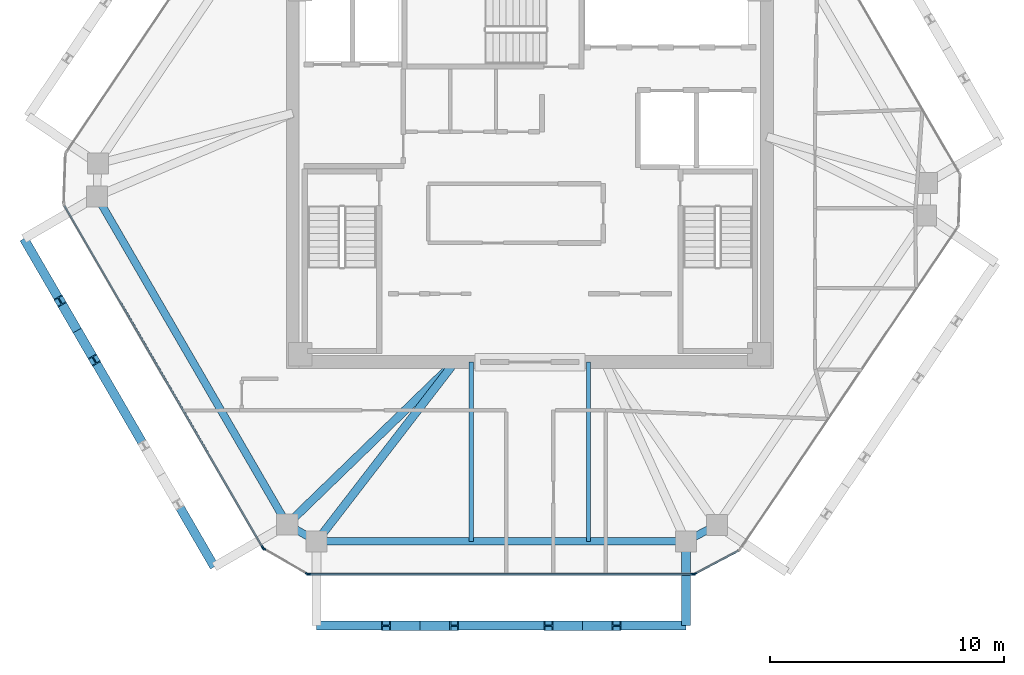
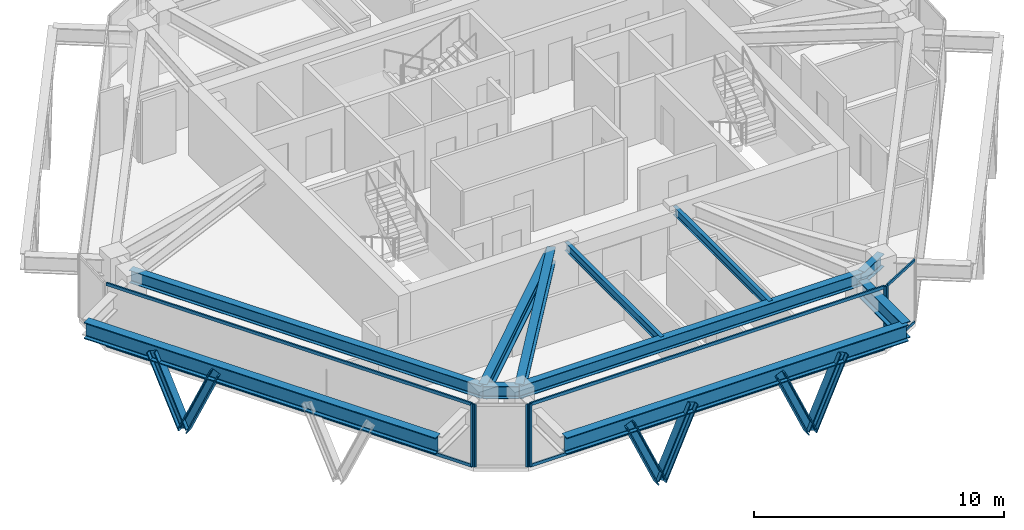
# One storey, part 2 of 11: 18 members, 11 beams, 4 elements without a shape of their own.
"""IFC4 building model written with IfcOpenShell, lengths in metres."""

from ifc_helpers import new_model, si_unit, direction, frame, origin, origin_2d, place, context, subcontext, project, spatial, rectangle, i_section, extrude, source, transform, mapped, material, layer, layer_set, material_profile, profile_set, type_object, type_shapes, element, aggregate, save


model = new_model("IFC4")

# Units and contexts
model_context = context("Model", 3, precision=1e-05, world=origin(), true_north=direction((0.0, 1.0)))
body_context = subcontext(model_context, "Body", "Model", "MODEL_VIEW")
ifc_project = project(units=[si_unit("LENGTHUNIT", "METRE"), si_unit("AREAUNIT", "SQUARE_METRE"), si_unit("VOLUMEUNIT", "CUBIC_METRE"), si_unit("PLANEANGLEUNIT", "RADIAN"), si_unit("MASSUNIT", "GRAM", prefix="KILO")], contexts=[model_context])

# Site, building, storey
site_placement = place(None, origin())
site = spatial("IfcSite", under=ifc_project, at=site_placement, CompositionType="ELEMENT")
building_placement = place(site_placement, origin())
building = spatial("IfcBuilding", under=site, at=building_placement, Name="Durnholm Broadcast Tower", CompositionType="ELEMENT")
storey_placement = place(building_placement, frame((0.0, 0.0, 218.300048828125)))
storey = spatial("IfcBuildingStorey", under=building, at=storey_placement, Name="L60", CompositionType="ELEMENT", Elevation=218.300048828125)

# Beams
ifc_material_1 = material(Name="Steel ASTM A992 Grade 50", Category="steel")
ifc_material_profile_1 = material_profile(ifc_material_1, i_section(OverallWidth=0.385009765625, OverallDepth=0.802978515625, WebThickness=0.023681640625, FlangeThickness=0.0419921875, FilletRadius=0.032958984375, at=origin_2d()), Name="W30X261")
ifc_profile_set_1 = profile_set([ifc_material_profile_1], Name="Steel ASTM A992 Grade 50")
beam_type_1 = type_object("IfcBeamType", Name="BM-EXO-TIE", PredefinedType="USERDEFINED", material=ifc_profile_set_1)
shared_shape_1 = source(origin(), body_context, "Body", "SweptSolid", [
    extrude(i_section(OverallWidth=0.385009765625, OverallDepth=0.802978515625, WebThickness=0.023681640625, FlangeThickness=0.0419921875, FilletRadius=0.032958984375, at=origin_2d()), origin(), (0.0, 0.0, 1.0), 3.4560546875),
])
beam_1_placement = place(storey_placement, frame((6.663818359375, -15.929931640625, 2.30859375), z_axis=(0.0, -1.0, 0.0), x_axis=(1.0, 0.0, 0.0)))
element("IfcBeam", 1, at=beam_1_placement, inside=storey, type_object=beam_type_1, Name="L60 exoskeleton stand-off tie bracket F1.2", ObjectType="GIRDER", PredefinedType="USERDEFINED", context=body_context, shape_type="MappedRepresentation", body=[
    mapped(shared_shape_1, transform((0.0, 0.0, 0.0), x_axis=(1.0, 0.0, 0.0), y_axis=(0.0, 1.0, 0.0), z_axis=(0.0, 0.0, 1.0), scale=1.0)),
])
ifc_material_profile_2 = material_profile(ifc_material_1, i_section(OverallWidth=0.3251953125, OverallDepth=0.6162109375, WebThickness=0.013916015625, FlangeThickness=0.021484375, FilletRadius=0.02783203125, at=origin_2d()), Name="W24X117")
ifc_profile_set_2 = profile_set([ifc_material_profile_2], Name="Steel ASTM A992 Grade 50")
beam_type_2 = type_object("IfcBeamType", Name="STL-SP-W24X117", PredefinedType="SPANDREL", material=ifc_profile_set_2)
shared_shape_2 = source(origin(), body_context, "Body", "SweptSolid", [
    extrude(i_section(OverallWidth=0.3251953125, OverallDepth=0.6162109375, WebThickness=0.013916015625, FlangeThickness=0.021484375, FilletRadius=0.02783203125, at=origin_2d()), origin(), (0.0, 0.0, 1.0), 16.202880859375),
])
beam_2_placement = place(storey_placement, frame((-10.361328125, -15.061767578125, 2.73681640625), z_axis=(-0.501948303381, 0.864897624423, 0.0), x_axis=(-0.864897624423, -0.501948303381, 0.0)))
element("IfcBeam", 2, at=beam_2_placement, inside=storey, type_object=beam_type_2, Name="L60 perimeter spandrel girder 01", PredefinedType="SPANDREL", context=body_context, shape_type="MappedRepresentation", body=[
    mapped(shared_shape_2, transform((0.0, 0.0, 0.0), x_axis=(1.0, 0.0, 0.0), y_axis=(0.0, 1.0, 0.0), z_axis=(0.0, 0.0, 1.0), scale=1.0)),
])
shared_shape_3 = source(origin(), body_context, "Body", "SweptSolid", [
    extrude(i_section(OverallWidth=0.3251953125, OverallDepth=0.6162109375, WebThickness=0.013916015625, FlangeThickness=0.021484375, FilletRadius=0.02783203125, at=origin_2d()), origin(), (0.0, 0.0, 1.0), 1.502685546875),
])
beam_3_placement = place(storey_placement, frame((7.990966796875, -15.081298828125, 2.73681640625), z_axis=(-0.883241909673, -0.468917614296, 0.0), x_axis=(0.468917614296, -0.883241909673, 0.0)))
element("IfcBeam", 3, at=beam_3_placement, inside=storey, type_object=beam_type_2, Name="L60 perimeter spandrel girder 10", PredefinedType="SPANDREL", context=body_context, shape_type="MappedRepresentation", body=[
    mapped(shared_shape_3, transform((0.0, 0.0, 0.0), x_axis=(1.0, 0.0, 0.0), y_axis=(0.0, 1.0, 0.0), z_axis=(0.0, 0.0, 1.0), scale=1.0)),
])
shared_shape_4 = source(origin(), body_context, "Body", "SweptSolid", [
    extrude(i_section(OverallWidth=0.3251953125, OverallDepth=0.6162109375, WebThickness=0.013916015625, FlangeThickness=0.021484375, FilletRadius=0.02783203125, at=origin_2d()), origin(), (0.0, 0.0, 1.0), 15.767578125),
])
beam_4_placement = place(storey_placement, frame((6.663818359375, -15.785888671875, 2.73681640625), z_axis=(-1.0, 0.0, 0.0), x_axis=(0.0, -1.0, 0.0)))
element("IfcBeam", 4, at=beam_4_placement, inside=storey, type_object=beam_type_2, Name="L60 perimeter spandrel girder 11", PredefinedType="SPANDREL", context=body_context, shape_type="MappedRepresentation", body=[
    mapped(shared_shape_4, transform((0.0, 0.0, 0.0), x_axis=(1.0, 0.0, 0.0), y_axis=(0.0, 1.0, 0.0), z_axis=(0.0, 0.0, 1.0), scale=1.0)),
])
shared_shape_5 = source(origin(), body_context, "Body", "SweptSolid", [
    extrude(i_section(OverallWidth=0.3251953125, OverallDepth=0.6162109375, WebThickness=0.013916015625, FlangeThickness=0.021484375, FilletRadius=0.02783203125, at=origin_2d()), origin(), (0.0, 0.0, 1.0), 1.451171875),
])
type_shapes(beam_type_2, [shared_shape_2, shared_shape_3, shared_shape_4, shared_shape_5])
beam_5_placement = place(storey_placement, frame((-9.103759765625, -15.785888671875, 2.73681640625), z_axis=(-0.866602615509, 0.498998904601, 0.0), x_axis=(-0.498998904601, -0.866602615509, 0.0)))
element("IfcBeam", 5, at=beam_5_placement, inside=storey, type_object=beam_type_2, Name="L60 perimeter spandrel girder 12", PredefinedType="SPANDREL", context=body_context, shape_type="MappedRepresentation", body=[
    mapped(shared_shape_5, transform((0.0, 0.0, 0.0), x_axis=(1.0, 0.0, 0.0), y_axis=(0.0, 1.0, 0.0), z_axis=(0.0, 0.0, 1.0), scale=1.0)),
])
shared_shape_6 = source(origin(), body_context, "Body", "SweptSolid", [
    extrude(i_section(OverallWidth=0.385009765625, OverallDepth=0.802978515625, WebThickness=0.023681640625, FlangeThickness=0.0419921875, FilletRadius=0.032958984375, at=origin_2d()), origin(), (0.0, 0.0, 1.0), 15.767578125),
])
beam_6_placement = place(storey_placement, frame((-9.103759765625, -19.385986328125, 2.30859375), z_axis=(1.0, 0.0, 0.0), x_axis=(0.0, 1.0, 0.0)))
element("IfcBeam", 6, at=beam_6_placement, inside=storey, type_object=beam_type_1, Name="L60 exoskeleton collector spandrel F1", PredefinedType="SPANDREL", context=body_context, shape_type="MappedRepresentation", body=[
    mapped(shared_shape_6, transform((0.0, 0.0, 0.0), x_axis=(1.0, 0.0, 0.0), y_axis=(0.0, 1.0, 0.0), z_axis=(0.0, 0.0, 1.0), scale=1.0)),
])
shared_shape_7 = source(origin(), body_context, "Body", "SweptSolid", [
    extrude(i_section(OverallWidth=0.385009765625, OverallDepth=0.802978515625, WebThickness=0.023681640625, FlangeThickness=0.0419921875, FilletRadius=0.032958984375, at=origin_2d()), origin(), (0.0, 0.0, 1.0), 16.20263671875),
])
type_shapes(beam_type_1, [shared_shape_1, shared_shape_6, shared_shape_7])
beam_7_placement = place(storey_placement, frame((-21.60791015625, -2.85498046875, 2.30859375), z_axis=(0.501943573333, -0.864900369516, 0.0), x_axis=(0.864900369516, 0.501943573333, 0.0)))
element("IfcBeam", 7, at=beam_7_placement, inside=storey, type_object=beam_type_1, Name="L60 exoskeleton collector spandrel F6", PredefinedType="SPANDREL", context=body_context, shape_type="MappedRepresentation", body=[
    mapped(shared_shape_7, transform((0.0, 0.0, 0.0), x_axis=(1.0, 0.0, 0.0), y_axis=(0.0, 1.0, 0.0), z_axis=(0.0, 0.0, 1.0), scale=1.0)),
])
ifc_material_profile_3 = material_profile(ifc_material_1, i_section(OverallWidth=0.3564453125, OverallDepth=0.713623046875, WebThickness=0.01904296875, FlangeThickness=0.033935546875, FilletRadius=0.030517578125, at=origin_2d()), Name="W27X194")
ifc_profile_set_3 = profile_set([ifc_material_profile_3], Name="Steel ASTM A992 Grade 50")
beam_type_3 = type_object("IfcBeamType", Name="STL-GR-W27X194", PredefinedType="USERDEFINED", material=ifc_profile_set_3)
shared_shape_8 = source(origin(), body_context, "Body", "SweptSolid", [
    extrude(i_section(OverallWidth=0.3564453125, OverallDepth=0.713623046875, WebThickness=0.01904296875, FlangeThickness=0.033935546875, FilletRadius=0.030517578125, at=origin_2d()), origin(), (0.0, 0.0, 1.0), 9.97021484375),
])
beam_8_placement = place(storey_placement, frame((-3.199951171875, -8.125, 2.688232421875), z_axis=(-0.718281140352, -0.695752975857, 0.0), x_axis=(0.695752975857, -0.718281140352, 0.0)))
element("IfcBeam", 8, at=beam_8_placement, inside=storey, type_object=beam_type_3, Name="L60 radial primary floor girder 01", ObjectType="GIRDER", PredefinedType="USERDEFINED", context=body_context, shape_type="MappedRepresentation", body=[
    mapped(shared_shape_8, transform((0.0, 0.0, 0.0), x_axis=(1.0, 0.0, 0.0), y_axis=(0.0, 1.0, 0.0), z_axis=(0.0, 0.0, 1.0), scale=1.0)),
])
shared_shape_9 = source(origin(), body_context, "Body", "SweptSolid", [
    extrude(i_section(OverallWidth=0.3564453125, OverallDepth=0.713623046875, WebThickness=0.01904296875, FlangeThickness=0.033935546875, FilletRadius=0.030517578125, at=origin_2d()), origin(), (0.0, 0.0, 1.0), 9.671875),
])
type_shapes(beam_type_3, [shared_shape_8, shared_shape_9])
beam_9_placement = place(storey_placement, frame((-3.199951171875, -8.125, 2.688232421875), z_axis=(-0.610413181287, -0.792083169945, 0.0), x_axis=(0.792083169945, -0.610413181287, 0.0)))
element("IfcBeam", 9, at=beam_9_placement, inside=storey, type_object=beam_type_3, Name="L60 radial primary floor girder 12", ObjectType="GIRDER", PredefinedType="USERDEFINED", context=body_context, shape_type="MappedRepresentation", body=[
    mapped(shared_shape_9, transform((0.0, 0.0, 0.0), x_axis=(1.0, 0.0, 0.0), y_axis=(0.0, 1.0, 0.0), z_axis=(0.0, 0.0, 1.0), scale=1.0)),
])
ifc_material_profile_4 = material_profile(ifc_material_1, i_section(OverallWidth=0.177734375, OverallDepth=0.40673828125, WebThickness=0.0078125, FlangeThickness=0.0126953125, FilletRadius=0.01904296875, at=origin_2d()), Name="W16X40")
ifc_profile_set_4 = profile_set([ifc_material_profile_4], Name="Steel ASTM A992 Grade 50")
beam_type_4 = type_object("IfcBeamType", Name="STL-BJ-W16X40", PredefinedType="JOIST", material=ifc_profile_set_4)
shared_shape_10 = source(origin(), body_context, "Body", "SweptSolid", [
    extrude(i_section(OverallWidth=0.177734375, OverallDepth=0.40673828125, WebThickness=0.0078125, FlangeThickness=0.0126953125, FilletRadius=0.01904296875, at=origin_2d()), origin(), (0.0, 0.0, 1.0), 7.660888671875),
])
type_shapes(beam_type_4, [shared_shape_10])
for number, where, z_axis, x_axis, name in (
    (10, (-2.5, -15.785888671875, 2.841552734375), (0.0, 1.0, 0.0), (-1.0, 0.0, 0.0), "L60 secondary floor joist 5.1"),
    (11, (2.5, -15.785888671875, 2.841552734375), (0.0, 1.0, 0.0), (-1.0, 0.0, 0.0), "L60 secondary floor joist 6.1"),
):
    element("IfcBeam", number, at=place(storey_placement, frame(where, z_axis=z_axis, x_axis=x_axis)), inside=storey, type_object=beam_type_4, Name=name, PredefinedType="JOIST", context=body_context, shape_type="MappedRepresentation", body=[
        mapped(shared_shape_10, transform((0.0, 0.0, 0.0), x_axis=(1.0, 0.0, 0.0), y_axis=(0.0, 1.0, 0.0), z_axis=(0.0, 0.0, 1.0), scale=1.0)),
    ])

# Members
ifc_material_2 = material(Name="Steel ASTM A913 Grade 65", Category="steel")
ifc_material_profile_5 = material_profile(ifc_material_2, i_section(OverallWidth=0.40625, OverallDepth=0.416015625, WebThickness=0.02978515625, FlangeThickness=0.048095703125, FilletRadius=0.030517578125, at=origin_2d()), Name="W14X257")
ifc_profile_set_5 = profile_set([ifc_material_profile_5], Name="Steel ASTM A913 Grade 65")
member_type_1 = type_object("IfcMemberType", Name="STL-DG-W14X257", PredefinedType="BRACE", material=ifc_profile_set_5)
shared_shape_11 = source(origin(), body_context, "Body", "SweptSolid", [
    extrude(i_section(OverallWidth=0.40625, OverallDepth=0.416015625, WebThickness=0.02978515625, FlangeThickness=0.048095703125, FilletRadius=0.030517578125, at=origin_2d()), origin(), (0.0, 0.0, 1.0), 3.60791015625),
])
for number, where, z_axis, x_axis, name in (
    (12, (-4.688720703125, -19.385986328125, -0.991455078125), (-0.404184914295, 0.0, 0.914677295584), (0.0, -1.0, 0.0), "L60 stand-off diagrid brace F1.D1.1"),
    (13, (2.248779296875, -19.385986328125, -0.991455078125), (-0.404184914295, 0.0, 0.914677295584), (0.0, -1.0, 0.0), "L60 stand-off diagrid brace F1.D2.1"),
    (14, (2.248779296875, -19.385986328125, -0.991455078125), (0.404184914295, 0.0, 0.914677295584), (0.0, 1.0, 0.0), "L60 stand-off diagrid brace F1.D2.2"),
    (15, (-19.330810546875, -6.77880859375, -0.991455078125), (-0.202806304578, 0.349582038522, 0.914692298626), (-0.864978863669, -0.501808295473, 0.0), "L60 stand-off diagrid brace F6.D1.1"),
    (16, (-19.330810546875, -6.77880859375, -0.991455078125), (0.202936072208, -0.349572440488, 0.914667185072), (0.864833498681, 0.50205878098, 0.0), "L60 stand-off diagrid brace F6.D1.2"),
):
    element("IfcMember", number, at=place(storey_placement, frame(where, z_axis=z_axis, x_axis=x_axis)), inside=storey, type_object=member_type_1, Name=name, PredefinedType="BRACE", context=body_context, shape_type="MappedRepresentation", body=[
        mapped(shared_shape_11, transform((0.0, 0.0, 0.0), x_axis=(1.0, 0.0, 0.0), y_axis=(0.0, 1.0, 0.0), z_axis=(0.0, 0.0, 1.0), scale=1.0)),
    ])
shared_shape_12 = source(origin(), body_context, "Body", "SweptSolid", [
    extrude(i_section(OverallWidth=0.40625, OverallDepth=0.416015625, WebThickness=0.02978515625, FlangeThickness=0.048095703125, FilletRadius=0.030517578125, at=origin_2d()), origin(), (0.0, 0.0, 1.0), 3.607666015625),
])
type_shapes(member_type_1, [shared_shape_11, shared_shape_12])
member_1_placement = place(storey_placement, frame((-4.688720703125, -19.385986328125, -0.991455078125), z_axis=(0.404128298032, 0.0, 0.914702311536), x_axis=(0.0, 1.0, 0.0)))
element("IfcMember", 17, at=member_1_placement, inside=storey, type_object=member_type_1, Name="L60 stand-off diagrid brace F1.D1.2", PredefinedType="BRACE", context=body_context, shape_type="MappedRepresentation", body=[
    mapped(shared_shape_12, transform((0.0, 0.0, 0.0), x_axis=(1.0, 0.0, 0.0), y_axis=(0.0, 1.0, 0.0), z_axis=(0.0, 0.0, 1.0), scale=1.0)),
])

# Curtain wall, members
ifc_material_3 = material(Name="Aluminium and Solar Control IGU", Category="aluminium")
ifc_layer_1 = layer(ifc_material_3, 0.1650390625)
ifc_layer_set_1 = layer_set([ifc_layer_1], Name="Aluminium and Solar Control IGU")
curtain_wall_type_1 = type_object("IfcCurtainWallType", Name="CW-SYS-5", PredefinedType="NOTDEFINED", material=ifc_layer_set_1)
curtain_wall_1_placement = place(storey_placement, origin())
curtain_wall_1 = element("IfcCurtainWall", 18, at=curtain_wall_1_placement, inside=storey, type_object=curtain_wall_type_1, Name="L60 curtain wall CW-CORNER CW-L60-CRN-09", PredefinedType="NOTDEFINED")
ifc_material_4 = material(Name="Aluminium 6063-T6", Category="aluminium")
ifc_material_profile_6 = material_profile(ifc_material_4, rectangle(XDim=0.06494140625, YDim=0.1298828125, at=origin_2d()), Name="CWT65X130")
ifc_profile_set_6 = profile_set([ifc_material_profile_6], Name="Aluminium 6063-T6")
member_type_2 = type_object("IfcMemberType", Name="CW-SYS-5-TRN", PredefinedType="USERDEFINED", material=ifc_profile_set_6)
shared_shape_13 = source(origin(), body_context, "Body", "SweptSolid", [
    extrude(rectangle(XDim=0.06494140625, YDim=0.1298828125, at=origin_2d()), origin(), (0.0, 0.0, 1.0), 2.070068359375),
])
type_shapes(member_type_2, [shared_shape_13])
member_2_placement = place(storey_placement, frame((8.89794921875, -16.1845703125, 0.032470703125), z_axis=(-0.883164581026, -0.469063239682, 0.0), x_axis=(0.469063239682, -0.883164581026, 0.0)))
member_2 = element("IfcMember", 19, at=member_2_placement, type_object=member_type_2, Name="CW-CORNER transom 1.1", ObjectType="TRANSOM", PredefinedType="USERDEFINED", context=body_context, shape_type="MappedRepresentation", body=[
    mapped(shared_shape_13, transform((0.0, 0.0, 0.0), x_axis=(1.0, 0.0, 0.0), y_axis=(0.0, 1.0, 0.0), z_axis=(0.0, 0.0, 1.0), scale=1.0)),
])
member_3_placement = place(storey_placement, frame((8.89794921875, -16.1845703125, 3.02734375), z_axis=(-0.883164581026, -0.469063239682, 0.0), x_axis=(0.469063239682, -0.883164581026, 0.0)))
member_3 = element("IfcMember", 20, at=member_3_placement, type_object=member_type_2, Name="CW-CORNER transom 1.2", ObjectType="TRANSOM", PredefinedType="USERDEFINED", context=body_context, shape_type="MappedRepresentation", body=[
    mapped(shared_shape_13, transform((0.0, 0.0, 0.0), x_axis=(1.0, 0.0, 0.0), y_axis=(0.0, 1.0, 0.0), z_axis=(0.0, 0.0, 1.0), scale=1.0)),
])
ifc_material_profile_7 = material_profile(ifc_material_4, rectangle(XDim=0.06494140625, YDim=0.1650390625, at=origin_2d()), Name="CWM65X165")
ifc_profile_set_7 = profile_set([ifc_material_profile_7], Name="Aluminium 6063-T6")
member_type_3 = type_object("IfcMemberType", Name="CW-SYS-5-MUL", PredefinedType="MULLION", material=ifc_profile_set_7)
shared_shape_14 = source(origin(), body_context, "Body", "SweptSolid", [
    extrude(rectangle(XDim=0.06494140625, YDim=0.1650390625, at=origin_2d()), origin(), (0.0, 0.0, 1.0), 3.06005859375),
])
type_shapes(member_type_3, [shared_shape_14])
member_4_placement = place(storey_placement, frame((7.041015625, -17.170654296875, 0.0), z_axis=(0.0, 0.0, 1.0), x_axis=(0.469006771575, -0.883194569853, 0.0)))
member_4 = element("IfcMember", 21, at=member_4_placement, type_object=member_type_3, Name="CW-CORNER mullion 2", PredefinedType="MULLION", context=body_context, shape_type="MappedRepresentation", body=[
    mapped(shared_shape_14, transform((0.0, 0.0, 0.0), x_axis=(1.0, 0.0, 0.0), y_axis=(0.0, 1.0, 0.0), z_axis=(0.0, 0.0, 1.0), scale=1.0)),
])
aggregate(curtain_wall_1, [member_4, member_2, member_3])

curtain_wall_2_placement = place(storey_placement, origin())
curtain_wall_2 = element("IfcCurtainWall", 22, at=curtain_wall_2_placement, inside=storey, type_object=curtain_wall_type_1, Name="L60 curtain wall CW-CORNER CW-L60-CRN-11", PredefinedType="NOTDEFINED")
member_5_placement = place(storey_placement, frame((-9.506103515625, -17.169677734375, 0.0), z_axis=(0.0, 0.0, 1.0), x_axis=(-0.499058582333, -0.866568249707, 0.0)))
member_5 = element("IfcMember", 23, at=member_5_placement, type_object=member_type_3, Name="CW-CORNER mullion 1", PredefinedType="MULLION", context=body_context, shape_type="MappedRepresentation", body=[
    mapped(shared_shape_14, transform((0.0, 0.0, 0.0), x_axis=(1.0, 0.0, 0.0), y_axis=(0.0, 1.0, 0.0), z_axis=(0.0, 0.0, 1.0), scale=1.0)),
])
member_6_placement = place(storey_placement, frame((-11.356201171875, -16.104248046875, 0.0), z_axis=(0.0, 0.0, 1.0), x_axis=(-0.499058582333, -0.866568249707, 0.0)))
member_6 = element("IfcMember", 24, at=member_6_placement, type_object=member_type_3, Name="CW-CORNER mullion 2", PredefinedType="MULLION", context=body_context, shape_type="MappedRepresentation", body=[
    mapped(shared_shape_14, transform((0.0, 0.0, 0.0), x_axis=(1.0, 0.0, 0.0), y_axis=(0.0, 1.0, 0.0), z_axis=(0.0, 0.0, 1.0), scale=1.0)),
])
aggregate(curtain_wall_2, [member_5, member_6])

ifc_layer_2 = layer(ifc_material_3, 0.18994140625)
ifc_layer_set_2 = layer_set([ifc_layer_2], Name="Aluminium and Solar Control IGU")
curtain_wall_type_2 = type_object("IfcCurtainWallType", Name="CW-SYS-4", PredefinedType="NOTDEFINED", material=ifc_layer_set_2)
curtain_wall_3_placement = place(storey_placement, origin())
curtain_wall_3 = element("IfcCurtainWall", 25, at=curtain_wall_3_placement, inside=storey, type_object=curtain_wall_type_2, Name="L60 curtain wall CW-Z34-VIS CW-L60-F10", PredefinedType="NOTDEFINED")
ifc_material_profile_8 = material_profile(ifc_material_4, rectangle(XDim=0.070068359375, YDim=0.18994140625, at=origin_2d()), Name="CWM70X190")
ifc_profile_set_8 = profile_set([ifc_material_profile_8], Name="Aluminium 6063-T6")
member_type_4 = type_object("IfcMemberType", Name="CW-SYS-4-MUL", PredefinedType="MULLION", material=ifc_profile_set_8)
shared_shape_15 = source(origin(), body_context, "Body", "SweptSolid", [
    extrude(rectangle(XDim=0.070068359375, YDim=0.18994140625, at=origin_2d()), origin(), (0.0, 0.0, 1.0), 3.06005859375),
])
type_shapes(member_type_4, [shared_shape_15])
member_7_placement = place(storey_placement, frame((6.977294921875, -17.18603515625, 0.0), z_axis=(0.0, 0.0, 1.0), x_axis=(0.0, -1.0, 0.0)))
member_7 = element("IfcMember", 26, at=member_7_placement, type_object=member_type_4, Name="CW-Z34-VIS mullion 1", PredefinedType="MULLION", context=body_context, shape_type="MappedRepresentation", body=[
    mapped(shared_shape_15, transform((0.0, 0.0, 0.0), x_axis=(1.0, 0.0, 0.0), y_axis=(0.0, 1.0, 0.0), z_axis=(0.0, 0.0, 1.0), scale=1.0)),
])
member_8_placement = place(storey_placement, frame((-9.443115234375, -17.18603515625, 0.0), z_axis=(0.0, 0.0, 1.0), x_axis=(0.0, -1.0, 0.0)))
member_8 = element("IfcMember", 27, at=member_8_placement, type_object=member_type_4, Name="CW-Z34-VIS mullion 2", PredefinedType="MULLION", context=body_context, shape_type="MappedRepresentation", body=[
    mapped(shared_shape_15, transform((0.0, 0.0, 0.0), x_axis=(1.0, 0.0, 0.0), y_axis=(0.0, 1.0, 0.0), z_axis=(0.0, 0.0, 1.0), scale=1.0)),
])

# Curtain wall, member
curtain_wall_4_placement = place(storey_placement, origin())
curtain_wall_4 = element("IfcCurtainWall", 28, at=curtain_wall_4_placement, inside=storey, type_object=curtain_wall_type_2, Name="L60 curtain wall CW-Z34-VIS CW-L60-F12", PredefinedType="NOTDEFINED")
member_9_placement = place(storey_placement, frame((-11.40185546875, -16.057861328125, 0.0), z_axis=(0.0, 0.0, 1.0), x_axis=(-0.864899883824, -0.50194441023, 0.0)))
member_9 = element("IfcMember", 29, at=member_9_placement, type_object=member_type_4, Name="CW-Z34-VIS mullion 1", PredefinedType="MULLION", context=body_context, shape_type="MappedRepresentation", body=[
    mapped(shared_shape_15, transform((0.0, 0.0, 0.0), x_axis=(1.0, 0.0, 0.0), y_axis=(0.0, 1.0, 0.0), z_axis=(0.0, 0.0, 1.0), scale=1.0)),
])

# Member
ifc_material_profile_9 = material_profile(ifc_material_4, rectangle(XDim=0.070068359375, YDim=0.14990234375, at=origin_2d()), Name="CWT70X150")
ifc_profile_set_9 = profile_set([ifc_material_profile_9], Name="Aluminium 6063-T6")
member_type_5 = type_object("IfcMemberType", Name="CW-SYS-4-TRN", PredefinedType="USERDEFINED", material=ifc_profile_set_9)
shared_shape_16 = source(origin(), body_context, "Body", "SweptSolid", [
    extrude(rectangle(XDim=0.070068359375, YDim=0.14990234375, at=origin_2d()), origin(), (0.0, 0.0, 1.0), 16.350341796875),
])
member_10_placement = place(storey_placement, frame((6.9423828125, -17.18603515625, 0.034912109375), z_axis=(-1.0, 0.0, 0.0), x_axis=(0.0, -1.0, 0.0)))
member_10 = element("IfcMember", 30, at=member_10_placement, type_object=member_type_5, Name="CW-Z34-VIS transom 1.1", ObjectType="TRANSOM", PredefinedType="USERDEFINED", context=body_context, shape_type="MappedRepresentation", body=[
    mapped(shared_shape_16, transform((0.0, 0.0, 0.0), x_axis=(1.0, 0.0, 0.0), y_axis=(0.0, 1.0, 0.0), z_axis=(0.0, 0.0, 1.0), scale=1.0)),
])

member_11_placement = place(storey_placement, frame((6.9423828125, -17.18603515625, 3.02490234375), z_axis=(-1.0, 0.0, 0.0), x_axis=(0.0, -1.0, 0.0)))
member_11 = element("IfcMember", 31, at=member_11_placement, type_object=member_type_5, Name="CW-Z34-VIS transom 1.2", ObjectType="TRANSOM", PredefinedType="USERDEFINED", context=body_context, shape_type="MappedRepresentation", body=[
    mapped(shared_shape_16, transform((0.0, 0.0, 0.0), x_axis=(1.0, 0.0, 0.0), y_axis=(0.0, 1.0, 0.0), z_axis=(0.0, 0.0, 1.0), scale=1.0)),
])

aggregate(curtain_wall_3, [member_7, member_8, member_10, member_11])

shared_shape_17 = source(origin(), body_context, "Body", "SweptSolid", [
    extrude(rectangle(XDim=0.070068359375, YDim=0.14990234375, at=origin_2d()), origin(), (0.0, 0.0, 1.0), 16.83984375),
])
type_shapes(member_type_5, [shared_shape_16, shared_shape_17])
member_12_placement = place(storey_placement, frame((-11.41943359375, -16.027587890625, 0.034912109375), z_axis=(-0.501945239029, 0.86489940283, 0.0), x_axis=(-0.86489940283, -0.501945239029, 0.0)))
member_12 = element("IfcMember", 32, at=member_12_placement, type_object=member_type_5, Name="CW-Z34-VIS transom 1.1", ObjectType="TRANSOM", PredefinedType="USERDEFINED", context=body_context, shape_type="MappedRepresentation", body=[
    mapped(shared_shape_17, transform((0.0, 0.0, 0.0), x_axis=(1.0, 0.0, 0.0), y_axis=(0.0, 1.0, 0.0), z_axis=(0.0, 0.0, 1.0), scale=1.0)),
])

member_13_placement = place(storey_placement, frame((-11.41943359375, -16.027587890625, 3.02490234375), z_axis=(-0.501945239029, 0.86489940283, 0.0), x_axis=(-0.86489940283, -0.501945239029, 0.0)))
member_13 = element("IfcMember", 33, at=member_13_placement, type_object=member_type_5, Name="CW-Z34-VIS transom 1.2", ObjectType="TRANSOM", PredefinedType="USERDEFINED", context=body_context, shape_type="MappedRepresentation", body=[
    mapped(shared_shape_17, transform((0.0, 0.0, 0.0), x_axis=(1.0, 0.0, 0.0), y_axis=(0.0, 1.0, 0.0), z_axis=(0.0, 0.0, 1.0), scale=1.0)),
])

aggregate(curtain_wall_4, [member_9, member_12, member_13])

save(model, "model.ifc")
